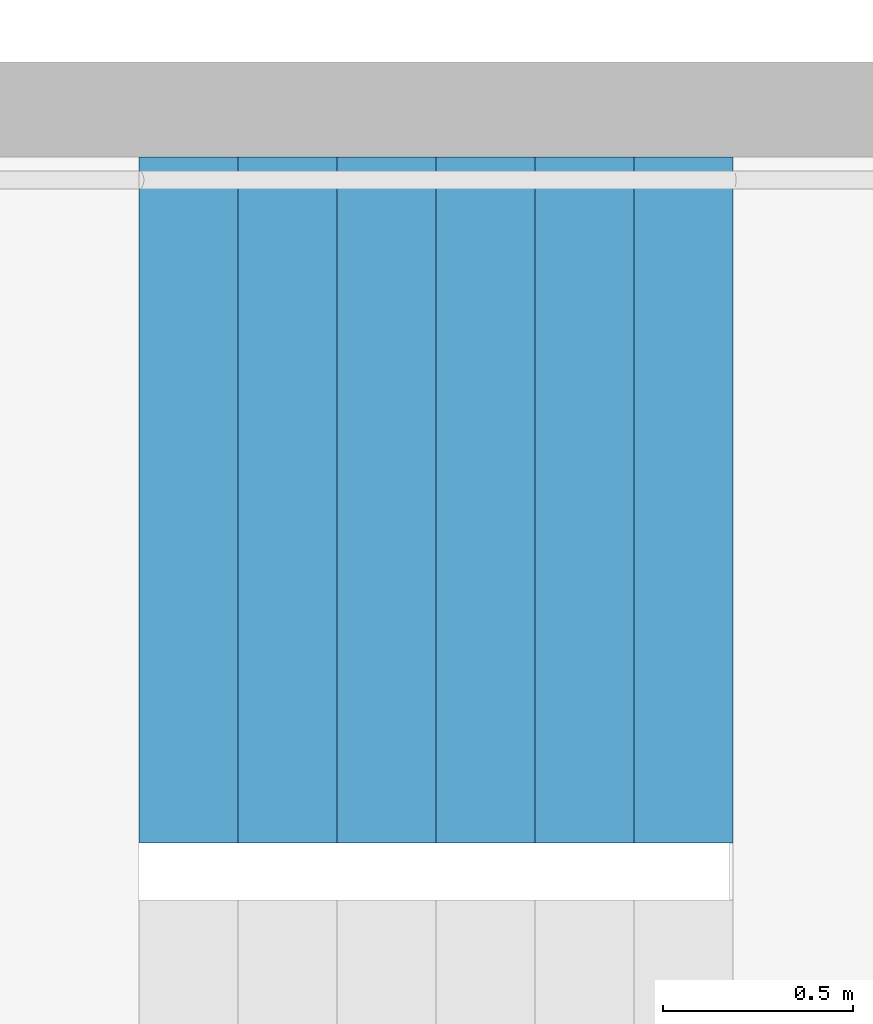
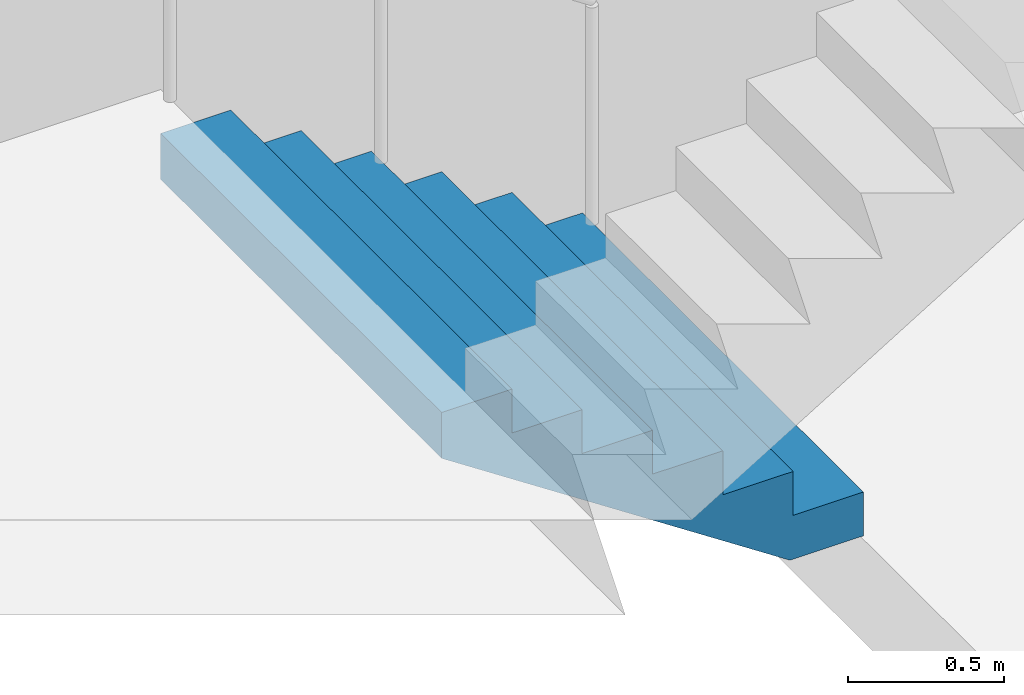
# One storey, part 29 of 53: 1 stair flight, 1 element without a shape of its own.
"""IFC4 building model written with IfcOpenShell, lengths in metres."""

from ifc_helpers import new_model, si_unit, direction, frame, origin, place, context, subcontext, project, spatial, triangles, material, type_object, element, aggregate, save


model = new_model("IFC4")

# Units and contexts
model_context = context("Model", 3, precision=1e-05, world=origin(), true_north=direction((0.0, 1.0)))
body_context = subcontext(model_context, "Body", "Model", "MODEL_VIEW")
ifc_project = project(units=[si_unit("LENGTHUNIT", "METRE"), si_unit("AREAUNIT", "SQUARE_METRE"), si_unit("VOLUMEUNIT", "CUBIC_METRE"), si_unit("PLANEANGLEUNIT", "RADIAN"), si_unit("MASSUNIT", "GRAM", prefix="KILO")], contexts=[model_context])

# Site, building, storey
site_placement = place(None, origin())
site = spatial("IfcSite", under=ifc_project, at=site_placement, CompositionType="ELEMENT")
building_placement = place(site_placement, origin())
building = spatial("IfcBuilding", under=site, at=building_placement, Name="Hakoniwa Tower and Hamabe Station Hall", CompositionType="ELEMENT")
storey_placement = place(building_placement, frame((0.0, 0.0, 15.0)))
storey = spatial("IfcBuildingStorey", under=building, at=storey_placement, Name="L03", CompositionType="ELEMENT", Elevation=15.0)

# Stair, stair flight
ifc_material_1 = material(Name="Concrete C40", Category="concrete")
stair_type = type_object("IfcStairType", Name="ESCAPE STAIR 1800", PredefinedType="HALF_TURN_STAIR", material=ifc_material_1)
stair_placement = place(storey_placement, origin())
stair = element("IfcStair", 1, at=stair_placement, inside=storey, type_object=stair_type, Name="Escape stair ST-2 L03", PredefinedType="HALF_TURN_STAIR")
ifc_material_2 = material(Name="Concrete C40", Category="concrete")
stair_flight_type = type_object("IfcStairFlightType", Name="STAIR FLIGHT 1800", PredefinedType="STRAIGHT", material=ifc_material_2)
stair_flight_placement = place(storey_placement, frame((-23.39990234375, -4.64990234375, 0.0), z_axis=(0.0, 0.0, 1.0), x_axis=(-1.0, 0.0, 0.0)))
stair_flight = element("IfcStairFlight", 2, at=stair_flight_placement, type_object=stair_flight_type, Name="ST-2 flight 1", NumberOfRisers=7, NumberOfTreads=6, PredefinedType="STRAIGHT", RiserHeight=0.171428571, TreadLength=0.26, context=body_context, shape_type="Tessellation", body=[
    triangles([(0.0, 0.89990234375, 0.0), (0.260009765625, 0.89990234375, 0.0), (0.272216796875, 0.89990234375, 0.0), (0.52001953125, 0.89990234375, 0.163330078125), (0.780029296875, 0.89990234375, 0.334716796875), (1.0400390625, 0.89990234375, 0.506103515625), (1.300048828125, 0.89990234375, 0.677490234375), (1.56005859375, 0.89990234375, 0.84912109375), (1.56005859375, 0.89990234375, 1.028564453125), (1.300048828125, 0.89990234375, 1.028564453125), (1.300048828125, 0.89990234375, 0.857177734375), (1.0400390625, 0.89990234375, 0.857177734375), (1.0400390625, 0.89990234375, 0.685791015625), (0.780029296875, 0.89990234375, 0.685791015625), (0.780029296875, 0.89990234375, 0.514404296875), (0.52001953125, 0.89990234375, 0.514404296875), (0.52001953125, 0.89990234375, 0.3427734375), (0.272216796875, 0.89990234375, 0.3427734375), (0.260009765625, 0.89990234375, 0.3427734375), (0.260009765625, 0.89990234375, 0.17138671875), (0.0, 0.89990234375, 0.17138671875), (0.0, 0.06005859375, 0.0), (0.260009765625, 0.06005859375, 0.0), (0.272216796875, 0.06005859375, 0.0), (0.52001953125, 0.06005859375, 0.163330078125), (0.780029296875, 0.06005859375, 0.334716796875), (1.0400390625, 0.06005859375, 0.506103515625), (1.300048828125, 0.06005859375, 0.677490234375), (1.56005859375, 0.06005859375, 0.84912109375), (1.56005859375, 0.06005859375, 1.028564453125), (1.300048828125, 0.06005859375, 1.028564453125), (1.300048828125, 0.06005859375, 0.857177734375), (1.0400390625, 0.06005859375, 0.857177734375), (1.0400390625, 0.06005859375, 0.685791015625), (0.780029296875, 0.06005859375, 0.685791015625), (0.780029296875, 0.06005859375, 0.514404296875), (0.52001953125, 0.06005859375, 0.514404296875), (0.52001953125, 0.06005859375, 0.3427734375), (0.272216796875, 0.06005859375, 0.3427734375), (0.260009765625, 0.06005859375, 0.3427734375), (0.260009765625, 0.06005859375, 0.17138671875), (0.0, 0.06005859375, 0.17138671875), (0.0, 0.049072265625, 0.0), (0.260009765625, 0.049072265625, 0.0), (0.272216796875, 0.049072265625, 0.0), (0.52001953125, 0.049072265625, 0.163330078125), (0.780029296875, 0.049072265625, 0.334716796875), (1.0400390625, 0.049072265625, 0.506103515625), (1.300048828125, 0.049072265625, 0.677490234375), (1.56005859375, 0.049072265625, 0.84912109375), (1.56005859375, 0.049072265625, 1.028564453125), (1.300048828125, 0.049072265625, 1.028564453125), (1.300048828125, 0.049072265625, 0.857177734375), (1.0400390625, 0.049072265625, 0.857177734375), (1.0400390625, 0.049072265625, 0.685791015625), (0.780029296875, 0.049072265625, 0.685791015625), (0.780029296875, 0.049072265625, 0.514404296875), (0.52001953125, 0.049072265625, 0.514404296875), (0.52001953125, 0.049072265625, 0.3427734375), (0.272216796875, 0.049072265625, 0.3427734375), (0.260009765625, 0.049072265625, 0.3427734375), (0.260009765625, 0.049072265625, 0.17138671875), (0.0, 0.049072265625, 0.17138671875), (0.0, 0.0380859375, 0.0), (0.260009765625, 0.0380859375, 0.0), (0.272216796875, 0.0380859375, 0.0), (0.52001953125, 0.0380859375, 0.163330078125), (0.780029296875, 0.0380859375, 0.334716796875), (1.0400390625, 0.0380859375, 0.506103515625), (1.300048828125, 0.0380859375, 0.677490234375), (1.56005859375, 0.0380859375, 0.84912109375), (1.56005859375, 0.0380859375, 1.028564453125), (1.300048828125, 0.0380859375, 1.028564453125), (1.300048828125, 0.0380859375, 0.857177734375), (1.0400390625, 0.0380859375, 0.857177734375), (1.0400390625, 0.0380859375, 0.685791015625), (0.780029296875, 0.0380859375, 0.685791015625), (0.780029296875, 0.0380859375, 0.514404296875), (0.52001953125, 0.0380859375, 0.514404296875), (0.52001953125, 0.0380859375, 0.3427734375), (0.272216796875, 0.0380859375, 0.3427734375), (0.260009765625, 0.0380859375, 0.3427734375), (0.260009765625, 0.0380859375, 0.17138671875), (0.0, 0.0380859375, 0.17138671875), (0.0, 0.02734375, 0.0), (0.260009765625, 0.02734375, 0.0), (0.272216796875, 0.02734375, 0.0), (0.52001953125, 0.02734375, 0.163330078125), (0.780029296875, 0.02734375, 0.334716796875), (1.0400390625, 0.02734375, 0.506103515625), (1.300048828125, 0.02734375, 0.677490234375), (1.56005859375, 0.02734375, 0.84912109375), (1.56005859375, 0.02734375, 1.028564453125), (1.300048828125, 0.02734375, 1.028564453125), (1.300048828125, 0.02734375, 0.857177734375), (1.0400390625, 0.02734375, 0.857177734375), (1.0400390625, 0.02734375, 0.685791015625), (0.780029296875, 0.02734375, 0.685791015625), (0.780029296875, 0.02734375, 0.514404296875), (0.52001953125, 0.02734375, 0.514404296875), (0.52001953125, 0.02734375, 0.3427734375), (0.272216796875, 0.02734375, 0.3427734375), (0.260009765625, 0.02734375, 0.3427734375), (0.260009765625, 0.02734375, 0.17138671875), (0.0, 0.02734375, 0.17138671875), (0.0, 0.016357421875, 0.0), (0.260009765625, 0.016357421875, 0.0), (0.272216796875, 0.016357421875, 0.0), (0.52001953125, 0.016357421875, 0.163330078125), (0.780029296875, 0.016357421875, 0.334716796875), (1.0400390625, 0.016357421875, 0.506103515625), (1.300048828125, 0.016357421875, 0.677490234375), (1.56005859375, 0.016357421875, 0.84912109375), (1.56005859375, 0.016357421875, 1.028564453125), (1.300048828125, 0.016357421875, 1.028564453125), (1.300048828125, 0.016357421875, 0.857177734375), (1.0400390625, 0.016357421875, 0.857177734375), (1.0400390625, 0.016357421875, 0.685791015625), (0.780029296875, 0.016357421875, 0.685791015625), (0.780029296875, 0.016357421875, 0.514404296875), (0.52001953125, 0.016357421875, 0.514404296875), (0.52001953125, 0.016357421875, 0.3427734375), (0.272216796875, 0.016357421875, 0.3427734375), (0.260009765625, 0.016357421875, 0.3427734375), (0.260009765625, 0.016357421875, 0.17138671875), (0.0, 0.016357421875, 0.17138671875), (0.0, 0.00537109375, 0.0), (0.260009765625, 0.00537109375, 0.0), (0.272216796875, 0.00537109375, 0.0), (0.52001953125, 0.00537109375, 0.163330078125), (0.780029296875, 0.00537109375, 0.334716796875), (1.0400390625, 0.00537109375, 0.506103515625), (1.300048828125, 0.00537109375, 0.677490234375), (1.56005859375, 0.00537109375, 0.84912109375), (1.56005859375, 0.00537109375, 1.028564453125), (1.300048828125, 0.00537109375, 1.028564453125), (1.300048828125, 0.00537109375, 0.857177734375), (1.0400390625, 0.00537109375, 0.857177734375), (1.0400390625, 0.00537109375, 0.685791015625), (0.780029296875, 0.00537109375, 0.685791015625), (0.780029296875, 0.00537109375, 0.514404296875), (0.52001953125, 0.00537109375, 0.514404296875), (0.52001953125, 0.00537109375, 0.3427734375), (0.272216796875, 0.00537109375, 0.3427734375), (0.260009765625, 0.00537109375, 0.3427734375), (0.260009765625, 0.00537109375, 0.17138671875), (0.0, 0.00537109375, 0.17138671875), (0.0, -0.00537109375, 0.0), (0.260009765625, -0.00537109375, 0.0), (0.272216796875, -0.00537109375, 0.0), (0.52001953125, -0.00537109375, 0.163330078125), (0.780029296875, -0.00537109375, 0.334716796875), (1.0400390625, -0.00537109375, 0.506103515625), (1.300048828125, -0.00537109375, 0.677490234375), (1.56005859375, -0.00537109375, 0.84912109375), (1.56005859375, -0.00537109375, 1.028564453125), (1.300048828125, -0.00537109375, 1.028564453125), (1.300048828125, -0.00537109375, 0.857177734375), (1.0400390625, -0.00537109375, 0.857177734375), (1.0400390625, -0.00537109375, 0.685791015625), (0.780029296875, -0.00537109375, 0.685791015625), (0.780029296875, -0.00537109375, 0.514404296875), (0.52001953125, -0.00537109375, 0.514404296875), (0.52001953125, -0.00537109375, 0.3427734375), (0.272216796875, -0.00537109375, 0.3427734375), (0.260009765625, -0.00537109375, 0.3427734375), (0.260009765625, -0.00537109375, 0.17138671875), (0.0, -0.00537109375, 0.17138671875), (0.0, -0.016357421875, 0.0), (0.260009765625, -0.016357421875, 0.0), (0.272216796875, -0.016357421875, 0.0), (0.52001953125, -0.016357421875, 0.163330078125), (0.780029296875, -0.016357421875, 0.334716796875), (1.0400390625, -0.016357421875, 0.506103515625), (1.300048828125, -0.016357421875, 0.677490234375), (1.56005859375, -0.016357421875, 0.84912109375), (1.56005859375, -0.016357421875, 1.028564453125), (1.300048828125, -0.016357421875, 1.028564453125), (1.300048828125, -0.016357421875, 0.857177734375), (1.0400390625, -0.016357421875, 0.857177734375), (1.0400390625, -0.016357421875, 0.685791015625), (0.780029296875, -0.016357421875, 0.685791015625), (0.780029296875, -0.016357421875, 0.514404296875), (0.52001953125, -0.016357421875, 0.514404296875), (0.52001953125, -0.016357421875, 0.3427734375), (0.272216796875, -0.016357421875, 0.3427734375), (0.260009765625, -0.016357421875, 0.3427734375), (0.260009765625, -0.016357421875, 0.17138671875), (0.0, -0.016357421875, 0.17138671875), (0.0, -0.02734375, 0.0), (0.260009765625, -0.02734375, 0.0), (0.272216796875, -0.02734375, 0.0), (0.52001953125, -0.02734375, 0.163330078125), (0.780029296875, -0.02734375, 0.334716796875), (1.0400390625, -0.02734375, 0.506103515625), (1.300048828125, -0.02734375, 0.677490234375), (1.56005859375, -0.02734375, 0.84912109375), (1.56005859375, -0.02734375, 1.028564453125), (1.300048828125, -0.02734375, 1.028564453125), (1.300048828125, -0.02734375, 0.857177734375), (1.0400390625, -0.02734375, 0.857177734375), (1.0400390625, -0.02734375, 0.685791015625), (0.780029296875, -0.02734375, 0.685791015625), (0.780029296875, -0.02734375, 0.514404296875), (0.52001953125, -0.02734375, 0.514404296875), (0.52001953125, -0.02734375, 0.3427734375), (0.272216796875, -0.02734375, 0.3427734375), (0.260009765625, -0.02734375, 0.3427734375), (0.260009765625, -0.02734375, 0.17138671875), (0.0, -0.02734375, 0.17138671875), (0.0, -0.0380859375, 0.0), (0.260009765625, -0.0380859375, 0.0), (0.272216796875, -0.0380859375, 0.0), (0.52001953125, -0.0380859375, 0.163330078125), (0.780029296875, -0.0380859375, 0.334716796875), (1.0400390625, -0.0380859375, 0.506103515625), (1.300048828125, -0.0380859375, 0.677490234375), (1.56005859375, -0.0380859375, 0.84912109375), (1.56005859375, -0.0380859375, 1.028564453125), (1.300048828125, -0.0380859375, 1.028564453125), (1.300048828125, -0.0380859375, 0.857177734375), (1.0400390625, -0.0380859375, 0.857177734375), (1.0400390625, -0.0380859375, 0.685791015625), (0.780029296875, -0.0380859375, 0.685791015625), (0.780029296875, -0.0380859375, 0.514404296875), (0.52001953125, -0.0380859375, 0.514404296875), (0.52001953125, -0.0380859375, 0.3427734375), (0.272216796875, -0.0380859375, 0.3427734375), (0.260009765625, -0.0380859375, 0.3427734375), (0.260009765625, -0.0380859375, 0.17138671875), (0.0, -0.0380859375, 0.17138671875), (0.0, -0.049072265625, 0.0), (0.260009765625, -0.049072265625, 0.0), (0.272216796875, -0.049072265625, 0.0), (0.52001953125, -0.049072265625, 0.163330078125), (0.780029296875, -0.049072265625, 0.334716796875), (1.0400390625, -0.049072265625, 0.506103515625), (1.300048828125, -0.049072265625, 0.677490234375), (1.56005859375, -0.049072265625, 0.84912109375), (1.56005859375, -0.049072265625, 1.028564453125), (1.300048828125, -0.049072265625, 1.028564453125), (1.300048828125, -0.049072265625, 0.857177734375), (1.0400390625, -0.049072265625, 0.857177734375), (1.0400390625, -0.049072265625, 0.685791015625), (0.780029296875, -0.049072265625, 0.685791015625), (0.780029296875, -0.049072265625, 0.514404296875), (0.52001953125, -0.049072265625, 0.514404296875), (0.52001953125, -0.049072265625, 0.3427734375), (0.272216796875, -0.049072265625, 0.3427734375), (0.260009765625, -0.049072265625, 0.3427734375), (0.260009765625, -0.049072265625, 0.17138671875), (0.0, -0.049072265625, 0.17138671875), (0.0, -0.06005859375, 0.0), (0.260009765625, -0.06005859375, 0.0), (0.272216796875, -0.06005859375, 0.0), (0.52001953125, -0.06005859375, 0.163330078125), (0.780029296875, -0.06005859375, 0.334716796875), (1.0400390625, -0.06005859375, 0.506103515625), (1.300048828125, -0.06005859375, 0.677490234375), (1.56005859375, -0.06005859375, 0.84912109375), (1.56005859375, -0.06005859375, 1.028564453125), (1.300048828125, -0.06005859375, 1.028564453125), (1.300048828125, -0.06005859375, 0.857177734375), (1.0400390625, -0.06005859375, 0.857177734375), (1.0400390625, -0.06005859375, 0.685791015625), (0.780029296875, -0.06005859375, 0.685791015625), (0.780029296875, -0.06005859375, 0.514404296875), (0.52001953125, -0.06005859375, 0.514404296875), (0.52001953125, -0.06005859375, 0.3427734375), (0.272216796875, -0.06005859375, 0.3427734375), (0.260009765625, -0.06005859375, 0.3427734375), (0.260009765625, -0.06005859375, 0.17138671875), (0.0, -0.06005859375, 0.17138671875), (0.0, -0.89990234375, 0.0), (0.260009765625, -0.89990234375, 0.0), (0.272216796875, -0.89990234375, 0.0), (0.52001953125, -0.89990234375, 0.163330078125), (0.780029296875, -0.89990234375, 0.334716796875), (1.0400390625, -0.89990234375, 0.506103515625), (1.300048828125, -0.89990234375, 0.677490234375), (1.56005859375, -0.89990234375, 0.84912109375), (1.56005859375, -0.89990234375, 1.028564453125), (1.300048828125, -0.89990234375, 1.028564453125), (1.300048828125, -0.89990234375, 0.857177734375), (1.0400390625, -0.89990234375, 0.857177734375), (1.0400390625, -0.89990234375, 0.685791015625), (0.780029296875, -0.89990234375, 0.685791015625), (0.780029296875, -0.89990234375, 0.514404296875), (0.52001953125, -0.89990234375, 0.514404296875), (0.52001953125, -0.89990234375, 0.3427734375), (0.272216796875, -0.89990234375, 0.3427734375), (0.260009765625, -0.89990234375, 0.3427734375), (0.260009765625, -0.89990234375, 0.17138671875), (0.0, -0.89990234375, 0.17138671875)], [[2, 21, 20], [275, 293, 294], [2, 1, 21], [275, 294, 274], [3, 19, 18], [276, 291, 292], [3, 20, 19], [276, 292, 293], [3, 2, 20], [276, 293, 275], [4, 18, 17], [277, 290, 291], [4, 3, 18], [277, 291, 276], [5, 16, 15], [278, 288, 289], [5, 17, 16], [278, 289, 290], [5, 4, 17], [278, 290, 277], [6, 14, 13], [279, 286, 287], [6, 15, 14], [279, 287, 288], [6, 5, 15], [279, 288, 278], [7, 12, 11], [280, 284, 285], [7, 13, 12], [280, 285, 286], [7, 6, 13], [280, 286, 279], [8, 10, 9], [281, 282, 283], [8, 11, 10], [281, 283, 284], [8, 7, 11], [281, 284, 280], [1, 2, 23], [1, 23, 22], [22, 23, 44], [22, 44, 43], [43, 44, 65], [43, 65, 64], [64, 65, 86], [64, 86, 85], [85, 86, 107], [85, 107, 106], [106, 107, 128], [106, 128, 127], [127, 128, 149], [127, 149, 148], [148, 149, 170], [148, 170, 169], [169, 170, 191], [169, 191, 190], [190, 191, 212], [190, 212, 211], [211, 212, 233], [211, 233, 232], [232, 233, 254], [232, 254, 253], [253, 254, 275], [253, 275, 274], [2, 3, 24], [2, 24, 23], [23, 24, 45], [23, 45, 44], [44, 45, 66], [44, 66, 65], [65, 66, 87], [65, 87, 86], [86, 87, 108], [86, 108, 107], [107, 108, 129], [107, 129, 128], [128, 129, 150], [128, 150, 149], [149, 150, 171], [149, 171, 170], [170, 171, 192], [170, 192, 191], [191, 192, 213], [191, 213, 212], [212, 213, 234], [212, 234, 233], [233, 234, 255], [233, 255, 254], [254, 255, 276], [254, 276, 275], [3, 4, 25], [3, 25, 24], [24, 25, 46], [24, 46, 45], [45, 46, 67], [45, 67, 66], [66, 67, 88], [66, 88, 87], [87, 88, 109], [87, 109, 108], [108, 109, 130], [108, 130, 129], [129, 130, 151], [129, 151, 150], [150, 151, 172], [150, 172, 171], [171, 172, 193], [171, 193, 192], [192, 193, 214], [192, 214, 213], [213, 214, 235], [213, 235, 234], [234, 235, 256], [234, 256, 255], [255, 256, 277], [255, 277, 276], [4, 5, 26], [4, 26, 25], [25, 26, 47], [25, 47, 46], [46, 47, 68], [46, 68, 67], [67, 68, 89], [67, 89, 88], [88, 89, 110], [88, 110, 109], [109, 110, 131], [109, 131, 130], [130, 131, 152], [130, 152, 151], [151, 152, 173], [151, 173, 172], [172, 173, 194], [172, 194, 193], [193, 194, 215], [193, 215, 214], [214, 215, 236], [214, 236, 235], [235, 236, 257], [235, 257, 256], [256, 257, 278], [256, 278, 277], [5, 6, 27], [5, 27, 26], [26, 27, 48], [26, 48, 47], [47, 48, 69], [47, 69, 68], [68, 69, 90], [68, 90, 89], [89, 90, 111], [89, 111, 110], [110, 111, 132], [110, 132, 131], [131, 132, 153], [131, 153, 152], [152, 153, 174], [152, 174, 173], [173, 174, 195], [173, 195, 194], [194, 195, 216], [194, 216, 215], [215, 216, 237], [215, 237, 236], [236, 237, 258], [236, 258, 257], [257, 258, 279], [257, 279, 278], [6, 7, 28], [6, 28, 27], [27, 28, 49], [27, 49, 48], [48, 49, 70], [48, 70, 69], [69, 70, 91], [69, 91, 90], [90, 91, 112], [90, 112, 111], [111, 112, 133], [111, 133, 132], [132, 133, 154], [132, 154, 153], [153, 154, 175], [153, 175, 174], [174, 175, 196], [174, 196, 195], [195, 196, 217], [195, 217, 216], [216, 217, 238], [216, 238, 237], [237, 238, 259], [237, 259, 258], [258, 259, 280], [258, 280, 279], [7, 8, 29], [7, 29, 28], [28, 29, 50], [28, 50, 49], [49, 50, 71], [49, 71, 70], [70, 71, 92], [70, 92, 91], [91, 92, 113], [91, 113, 112], [112, 113, 134], [112, 134, 133], [133, 134, 155], [133, 155, 154], [154, 155, 176], [154, 176, 175], [175, 176, 197], [175, 197, 196], [196, 197, 218], [196, 218, 217], [217, 218, 239], [217, 239, 238], [238, 239, 260], [238, 260, 259], [259, 260, 281], [259, 281, 280], [8, 9, 30], [8, 30, 29], [29, 30, 51], [29, 51, 50], [50, 51, 72], [50, 72, 71], [71, 72, 93], [71, 93, 92], [92, 93, 114], [92, 114, 113], [113, 114, 135], [113, 135, 134], [134, 135, 156], [134, 156, 155], [155, 156, 177], [155, 177, 176], [176, 177, 198], [176, 198, 197], [197, 198, 219], [197, 219, 218], [218, 219, 240], [218, 240, 239], [239, 240, 261], [239, 261, 260], [260, 261, 282], [260, 282, 281], [9, 10, 31], [9, 31, 30], [30, 31, 52], [30, 52, 51], [51, 52, 73], [51, 73, 72], [72, 73, 94], [72, 94, 93], [93, 94, 115], [93, 115, 114], [114, 115, 136], [114, 136, 135], [135, 136, 157], [135, 157, 156], [156, 157, 178], [156, 178, 177], [177, 178, 199], [177, 199, 198], [198, 199, 220], [198, 220, 219], [219, 220, 241], [219, 241, 240], [240, 241, 262], [240, 262, 261], [261, 262, 283], [261, 283, 282], [10, 11, 32], [10, 32, 31], [31, 32, 53], [31, 53, 52], [52, 53, 74], [52, 74, 73], [73, 74, 95], [73, 95, 94], [94, 95, 116], [94, 116, 115], [115, 116, 137], [115, 137, 136], [136, 137, 158], [136, 158, 157], [157, 158, 179], [157, 179, 178], [178, 179, 200], [178, 200, 199], [199, 200, 221], [199, 221, 220], [220, 221, 242], [220, 242, 241], [241, 242, 263], [241, 263, 262], [262, 263, 284], [262, 284, 283], [11, 12, 33], [11, 33, 32], [32, 33, 54], [32, 54, 53], [53, 54, 75], [53, 75, 74], [74, 75, 96], [74, 96, 95], [95, 96, 117], [95, 117, 116], [116, 117, 138], [116, 138, 137], [137, 138, 159], [137, 159, 158], [158, 159, 180], [158, 180, 179], [179, 180, 201], [179, 201, 200], [200, 201, 222], [200, 222, 221], [221, 222, 243], [221, 243, 242], [242, 243, 264], [242, 264, 263], [263, 264, 285], [263, 285, 284], [12, 13, 34], [12, 34, 33], [33, 34, 55], [33, 55, 54], [54, 55, 76], [54, 76, 75], [75, 76, 97], [75, 97, 96], [96, 97, 118], [96, 118, 117], [117, 118, 139], [117, 139, 138], [138, 139, 160], [138, 160, 159], [159, 160, 181], [159, 181, 180], [180, 181, 202], [180, 202, 201], [201, 202, 223], [201, 223, 222], [222, 223, 244], [222, 244, 243], [243, 244, 265], [243, 265, 264], [264, 265, 286], [264, 286, 285], [13, 14, 35], [13, 35, 34], [34, 35, 56], [34, 56, 55], [55, 56, 77], [55, 77, 76], [76, 77, 98], [76, 98, 97], [97, 98, 119], [97, 119, 118], [118, 119, 140], [118, 140, 139], [139, 140, 161], [139, 161, 160], [160, 161, 182], [160, 182, 181], [181, 182, 203], [181, 203, 202], [202, 203, 224], [202, 224, 223], [223, 224, 245], [223, 245, 244], [244, 245, 266], [244, 266, 265], [265, 266, 287], [265, 287, 286], [14, 15, 36], [14, 36, 35], [35, 36, 57], [35, 57, 56], [56, 57, 78], [56, 78, 77], [77, 78, 99], [77, 99, 98], [98, 99, 120], [98, 120, 119], [119, 120, 141], [119, 141, 140], [140, 141, 162], [140, 162, 161], [161, 162, 183], [161, 183, 182], [182, 183, 204], [182, 204, 203], [203, 204, 225], [203, 225, 224], [224, 225, 246], [224, 246, 245], [245, 246, 267], [245, 267, 266], [266, 267, 288], [266, 288, 287], [15, 16, 37], [15, 37, 36], [36, 37, 58], [36, 58, 57], [57, 58, 79], [57, 79, 78], [78, 79, 100], [78, 100, 99], [99, 100, 121], [99, 121, 120], [120, 121, 142], [120, 142, 141], [141, 142, 163], [141, 163, 162], [162, 163, 184], [162, 184, 183], [183, 184, 205], [183, 205, 204], [204, 205, 226], [204, 226, 225], [225, 226, 247], [225, 247, 246], [246, 247, 268], [246, 268, 267], [267, 268, 289], [267, 289, 288], [16, 17, 38], [16, 38, 37], [37, 38, 59], [37, 59, 58], [58, 59, 80], [58, 80, 79], [79, 80, 101], [79, 101, 100], [100, 101, 122], [100, 122, 121], [121, 122, 143], [121, 143, 142], [142, 143, 164], [142, 164, 163], [163, 164, 185], [163, 185, 184], [184, 185, 206], [184, 206, 205], [205, 206, 227], [205, 227, 226], [226, 227, 248], [226, 248, 247], [247, 248, 269], [247, 269, 268], [268, 269, 290], [268, 290, 289], [17, 18, 39], [17, 39, 38], [38, 39, 60], [38, 60, 59], [59, 60, 81], [59, 81, 80], [80, 81, 102], [80, 102, 101], [101, 102, 123], [101, 123, 122], [122, 123, 144], [122, 144, 143], [143, 144, 165], [143, 165, 164], [164, 165, 186], [164, 186, 185], [185, 186, 207], [185, 207, 206], [206, 207, 228], [206, 228, 227], [227, 228, 249], [227, 249, 248], [248, 249, 270], [248, 270, 269], [269, 270, 291], [269, 291, 290], [18, 19, 40], [18, 40, 39], [39, 40, 61], [39, 61, 60], [60, 61, 82], [60, 82, 81], [81, 82, 103], [81, 103, 102], [102, 103, 124], [102, 124, 123], [123, 124, 145], [123, 145, 144], [144, 145, 166], [144, 166, 165], [165, 166, 187], [165, 187, 186], [186, 187, 208], [186, 208, 207], [207, 208, 229], [207, 229, 228], [228, 229, 250], [228, 250, 249], [249, 250, 271], [249, 271, 270], [270, 271, 292], [270, 292, 291], [19, 20, 41], [19, 41, 40], [40, 41, 62], [40, 62, 61], [61, 62, 83], [61, 83, 82], [82, 83, 104], [82, 104, 103], [103, 104, 125], [103, 125, 124], [124, 125, 146], [124, 146, 145], [145, 146, 167], [145, 167, 166], [166, 167, 188], [166, 188, 187], [187, 188, 209], [187, 209, 208], [208, 209, 230], [208, 230, 229], [229, 230, 251], [229, 251, 250], [250, 251, 272], [250, 272, 271], [271, 272, 293], [271, 293, 292], [20, 21, 42], [20, 42, 41], [41, 42, 63], [41, 63, 62], [62, 63, 84], [62, 84, 83], [83, 84, 105], [83, 105, 104], [104, 105, 126], [104, 126, 125], [125, 126, 147], [125, 147, 146], [146, 147, 168], [146, 168, 167], [167, 168, 189], [167, 189, 188], [188, 189, 210], [188, 210, 209], [209, 210, 231], [209, 231, 230], [230, 231, 252], [230, 252, 251], [251, 252, 273], [251, 273, 272], [272, 273, 294], [272, 294, 293], [21, 1, 22], [21, 22, 42], [42, 22, 43], [42, 43, 63], [63, 43, 64], [63, 64, 84], [84, 64, 85], [84, 85, 105], [105, 85, 106], [105, 106, 126], [126, 106, 127], [126, 127, 147], [147, 127, 148], [147, 148, 168], [168, 148, 169], [168, 169, 189], [189, 169, 190], [189, 190, 210], [210, 190, 211], [210, 211, 231], [231, 211, 232], [231, 232, 252], [252, 232, 253], [252, 253, 273], [273, 253, 274], [273, 274, 294]], closed=True),
])
aggregate(stair, [stair_flight])

save(model, "model.ifc")
